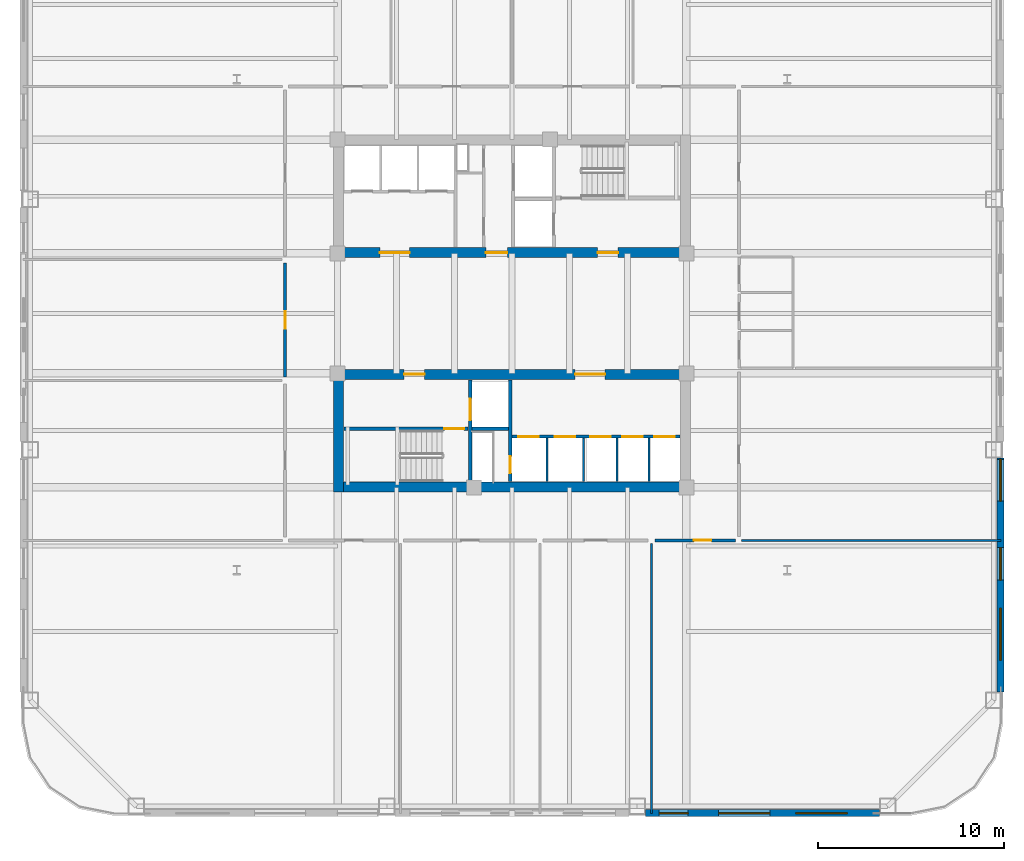
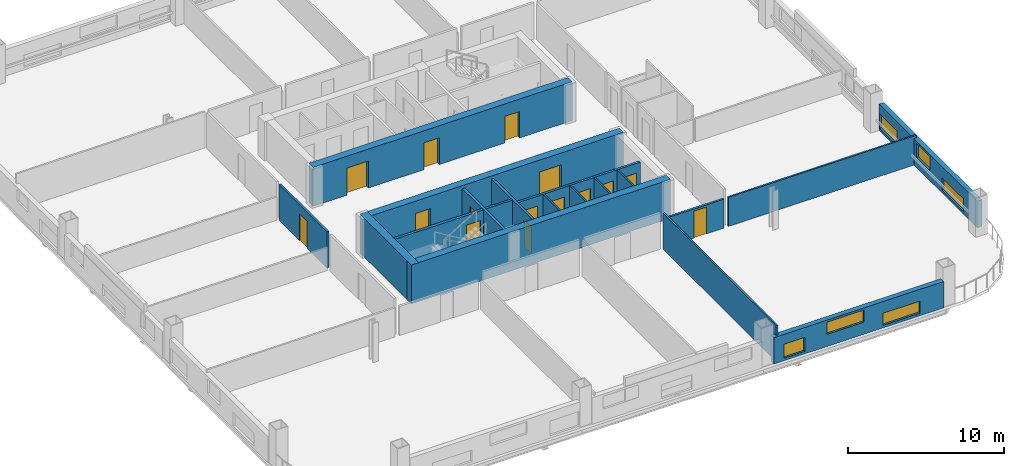
# One storey, part 3 of 12: 19 walls, 15 doors, 6 windows, 21 openings.
"""IFC4 building model written with IfcOpenShell, lengths in metres."""

from ifc_helpers import new_model, si_unit, direction, frame, frame_2d, origin, place, context, subcontext, project, spatial, rectangle, extrude, material, layer, layer_set, type_object, element, fill, save


model = new_model("IFC4")

# Units and contexts
model_context = context("Model", 3, precision=1e-05, world=origin(), true_north=direction((0.0, 1.0)))
body_context = subcontext(model_context, "Body", "Model", "MODEL_VIEW")
ifc_project = project(units=[si_unit("LENGTHUNIT", "METRE"), si_unit("AREAUNIT", "SQUARE_METRE"), si_unit("VOLUMEUNIT", "CUBIC_METRE"), si_unit("PLANEANGLEUNIT", "RADIAN"), si_unit("MASSUNIT", "GRAM", prefix="KILO")], contexts=[model_context])

# Site, building, storey
site_placement = place(None, origin())
site = spatial("IfcSite", under=ifc_project, at=site_placement, CompositionType="ELEMENT")
building_placement = place(site_placement, origin())
building = spatial("IfcBuilding", under=site, at=building_placement, Name="Qhalaya Broadcast Tower", CompositionType="ELEMENT")
storey_placement = place(building_placement, frame((0.0, 0.0, 47.449951171875)))
storey = spatial("IfcBuildingStorey", under=building, at=storey_placement, Name="L13", CompositionType="ELEMENT", Elevation=47.449951171875)

# Wall, opening, door
ifc_material_1 = material(Name="Gypsum Acoustic Partition")
ifc_layer_1 = layer(ifc_material_1, 0.14990234375, Name="Gypsum Acoustic Partition")
ifc_layer_set_1 = layer_set([ifc_layer_1], Name="Gypsum Acoustic Partition")
wall_type_1 = type_object("IfcWallType", Name="Corridor & Tenancy Acoustic Partition 150", PredefinedType="PARTITIONING", material=ifc_layer_set_1)
wall_1_placement = place(storey_placement, frame((7.679931640625, -11.60009765625, 0.0), z_axis=(0.0, 0.0, 1.0), x_axis=(1.0, 0.0, 0.0)))
wall_1 = element("IfcWall", 1, at=wall_1_placement, inside=storey, type_object=wall_type_1, Name="L13 Partition Wall W-COR-08", PredefinedType="PARTITIONING", context=body_context, shape_type="SweptSolid", body=[
    extrude(rectangle(XDim=4.340087890625, YDim=0.14990234375, at=frame_2d((2.169921875, 0.0))), origin(), (0.0, 0.0, 1.0), 2.274169921875),
])
opening_1_placement = place(wall_1_placement, frame((2.094970703125, 0.0, 0.0)))
opening_1 = element("IfcOpeningElement", 2, at=opening_1_placement, cuts=wall_1, Name="Opening D10", PredefinedType="OPENING", context=body_context, shape_type="SweptSolid", body=[
    extrude(rectangle(XDim=0.949951171875, YDim=2.10009765625, at=frame_2d((0.47509765625, 1.050048828125))), frame((0.0, 0.0869140625, 0.0), z_axis=(0.0, -1.0, 0.0), x_axis=(1.0, 0.0, 0.0)), (0.0, 0.0, 1.0), 0.173828125),
])
ifc_material_2 = material(Name="Timber Veneer Acoustic Door", Category="wood")
door_type_1 = type_object("IfcDoorType", Name="Cellular Office & Edit Booth Door D10", OperationType="NOTDEFINED", PredefinedType="DOOR", material=ifc_material_2)
door_1_placement = place(opening_1_placement, origin())
door_1 = element("IfcDoor", 3, at=door_1_placement, inside=storey, type_object=door_type_1, Name="L13 Door D-RM08", OperationType="SINGLE_SWING_RIGHT", OverallHeight=2.10009765625, OverallWidth=0.949951171875, PredefinedType="DOOR", context=body_context, shape_type="SweptSolid", body=[
    extrude(rectangle(XDim=0.949951171875, YDim=2.10009765625, at=frame_2d((0.47509765625, 1.050048828125))), frame((0.0, 0.02490234375, 0.0), z_axis=(0.0, -1.0, 0.0), x_axis=(1.0, 0.0, 0.0)), (0.0, 0.0, 1.0), 0.050048828125),
])
fill(opening_1, door_1)

wall_2_placement = place(storey_placement, frame((-12.199951171875, -2.820068359375, 0.0), z_axis=(0.0, 0.0, 1.0), x_axis=(0.0, 1.0, 0.0)))
wall_2 = element("IfcWall", 4, at=wall_2_placement, inside=storey, type_object=wall_type_1, Name="L13 Partition Wall W-COR-10", PredefinedType="PARTITIONING", context=body_context, shape_type="SweptSolid", body=[
    extrude(rectangle(XDim=6.14013671875, YDim=0.14990234375, at=frame_2d((3.070068359375, 0.0))), origin(), (0.0, 0.0, 1.0), 2.830078125),
])
opening_2_placement = place(wall_2_placement, frame((2.594970703125, 0.0, 0.0)))
opening_2 = element("IfcOpeningElement", 5, at=opening_2_placement, cuts=wall_2, Name="Opening D10", PredefinedType="OPENING", context=body_context, shape_type="SweptSolid", body=[
    extrude(rectangle(XDim=0.949951171875, YDim=2.10009765625, at=frame_2d((0.47509765625, 1.050048828125))), frame((0.0, 0.0869140625, 0.0), z_axis=(0.0, -1.0, 0.0), x_axis=(1.0, 0.0, 0.0)), (0.0, 0.0, 1.0), 0.173828125),
])
door_2_placement = place(opening_2_placement, origin())
door_2 = element("IfcDoor", 6, at=door_2_placement, inside=storey, type_object=door_type_1, Name="L13 Door D-RM10", OperationType="SINGLE_SWING_RIGHT", OverallHeight=2.10009765625, OverallWidth=0.949951171875, PredefinedType="DOOR", context=body_context, shape_type="SweptSolid", body=[
    extrude(rectangle(XDim=0.949951171875, YDim=2.10009765625, at=frame_2d((0.47509765625, 1.050048828125))), frame((0.0, 0.02490234375, 0.0), z_axis=(0.0, -1.0, 0.0), x_axis=(1.0, 0.0, 0.0)), (0.0, 0.0, 1.0), 0.050048828125),
])
fill(opening_2, door_2)

# Wall, openings, windows
ifc_material_3 = material(Name="Precast Concrete C40/50", Category="concrete")
ifc_layer_2 = layer(ifc_material_3, 0.360107421875, Name="Precast Concrete C40/50")
ifc_layer_set_2 = layer_set([ifc_layer_2], Name="Precast Concrete C40/50")
wall_type_2 = type_object("IfcWallType", Name="Insulated Precast Terracotta Exterior Wall 360", PredefinedType="SOLIDWALL", material=ifc_layer_set_2)
wall_3_placement = place(storey_placement, frame((19.761962890625, -26.260009765625, 0.0), z_axis=(0.0, 0.0, 1.0), x_axis=(-1.0, 0.0, 0.0)))
wall_3 = element("IfcWall", 7, at=wall_3_placement, inside=storey, type_object=wall_type_2, Name="L13 Exoskeleton Diagrid Infill Wall S1", PredefinedType="SOLIDWALL", context=body_context, shape_type="SweptSolid", body=[
    extrude(rectangle(XDim=12.57861328125, YDim=0.360107421875, at=frame_2d((6.289306640625, 0.0))), origin(), (0.0, 0.0, 1.0), 2.067138671875),
])
opening_3_placement = place(wall_3_placement, frame((1.75, 0.0, 0.199951171875)))
opening_3 = element("IfcOpeningElement", 8, at=opening_3_placement, cuts=wall_3, Name="Opening W11", PredefinedType="OPENING", context=body_context, shape_type="SweptSolid", body=[
    extrude(rectangle(XDim=2.75, YDim=0.949951171875, at=frame_2d((1.375, 0.47509765625))), frame((0.0, 0.192138671875, 0.0), z_axis=(0.0, -1.0, 0.0), x_axis=(1.0, 0.0, 0.0)), (0.0, 0.0, 1.0), 0.384033203125),
])
opening_4_placement = place(wall_3_placement, frame((5.89990234375, 0.0, 0.949951171875)))
opening_4 = element("IfcOpeningElement", 9, at=opening_4_placement, cuts=wall_3, Name="Opening W11", PredefinedType="OPENING", context=body_context, shape_type="SweptSolid", body=[
    extrude(rectangle(XDim=2.75, YDim=0.949951171875, at=frame_2d((1.375, 0.47509765625))), frame((0.0, 0.192138671875, 0.0), z_axis=(0.0, -1.0, 0.0), x_axis=(1.0, 0.0, 0.0)), (0.0, 0.0, 1.0), 0.384033203125),
])
opening_5_placement = place(wall_3_placement, frame((10.300048828125, 0.0, 0.199951171875)))
opening_5 = element("IfcOpeningElement", 10, at=opening_5_placement, cuts=wall_3, Name="Opening W11", PredefinedType="OPENING", context=body_context, shape_type="SweptSolid", body=[
    extrude(rectangle(XDim=1.550048828125, YDim=1.10009765625, at=frame_2d((0.77490234375, 0.550048828125))), frame((0.0, 0.192138671875, 0.0), z_axis=(0.0, -1.0, 0.0), x_axis=(1.0, 0.0, 0.0)), (0.0, 0.0, 1.0), 0.384033203125),
])
ifc_material_4 = material(Name="Solar-Control Low-E Triple Glazing", Category="glass")
window_type = type_object("IfcWindowType", Name="Odd-Block Diagrid Infill Window W11", PartitioningType="SINGLE_PANEL", PredefinedType="WINDOW", material=ifc_material_4)
window_1_placement = place(opening_3_placement, origin())
window_1 = element("IfcWindow", 11, at=window_1_placement, inside=storey, type_object=window_type, Name="L13 Diagrid Infill Window W11-S1", OverallHeight=0.949951171875, OverallWidth=2.75, PartitioningType="SINGLE_PANEL", PredefinedType="WINDOW", context=body_context, shape_type="SweptSolid", body=[
    extrude(rectangle(XDim=2.75, YDim=0.949951171875, at=frame_2d((1.375, 0.47509765625))), frame((0.0, 0.030029296875, 0.0), z_axis=(0.0, -1.0, 0.0), x_axis=(1.0, 0.0, 0.0)), (0.0, 0.0, 1.0), 0.06005859375),
])
fill(opening_3, window_1)
window_2_placement = place(opening_4_placement, origin())
window_2 = element("IfcWindow", 12, at=window_2_placement, inside=storey, type_object=window_type, Name="L13 Diagrid Infill Window W11-S2", OverallHeight=0.949951171875, OverallWidth=2.75, PartitioningType="SINGLE_PANEL", PredefinedType="WINDOW", context=body_context, shape_type="SweptSolid", body=[
    extrude(rectangle(XDim=2.75, YDim=0.949951171875, at=frame_2d((1.375, 0.47509765625))), frame((0.0, 0.030029296875, 0.0), z_axis=(0.0, -1.0, 0.0), x_axis=(1.0, 0.0, 0.0)), (0.0, 0.0, 1.0), 0.06005859375),
])
fill(opening_4, window_2)
window_3_placement = place(opening_5_placement, origin())
window_3 = element("IfcWindow", 13, at=window_3_placement, inside=storey, type_object=window_type, Name="L13 Diagrid Infill Window W11-S3", OverallHeight=1.10009765625, OverallWidth=1.550048828125, PartitioningType="SINGLE_PANEL", PredefinedType="WINDOW", context=body_context, shape_type="SweptSolid", body=[
    extrude(rectangle(XDim=1.550048828125, YDim=1.10009765625, at=frame_2d((0.77490234375, 0.550048828125))), frame((0.0, 0.030029296875, 0.0), z_axis=(0.0, -1.0, 0.0), x_axis=(1.0, 0.0, 0.0)), (0.0, 0.0, 1.0), 0.06005859375),
])
fill(opening_5, window_3)

wall_4_placement = place(storey_placement, frame((26.260009765625, -7.183349609375, 0.0), z_axis=(0.0, 0.0, 1.0), x_axis=(0.0, -1.0, 0.0)))
wall_4 = element("IfcWall", 14, at=wall_4_placement, inside=storey, type_object=wall_type_2, Name="L13 Exoskeleton Diagrid Infill Wall E3", PredefinedType="SOLIDWALL", context=body_context, shape_type="SweptSolid", body=[
    extrude(rectangle(XDim=12.57861328125, YDim=0.360107421875, at=frame_2d((6.289306640625, 0.0))), origin(), (0.0, 0.0, 1.0), 2.067138671875),
])
opening_6_placement = place(wall_4_placement, frame((0.054931640625, 0.0, 0.199951171875)))
opening_6 = element("IfcOpeningElement", 15, at=opening_6_placement, cuts=wall_4, Name="Opening W11", PredefinedType="OPENING", context=body_context, shape_type="SweptSolid", body=[
    extrude(rectangle(XDim=2.25, YDim=1.14990234375, at=frame_2d((1.125, 0.574951171875))), frame((0.0, 0.192138671875, 0.0), z_axis=(0.0, -1.0, 0.0), x_axis=(1.0, 0.0, 0.0)), (0.0, 0.0, 1.0), 0.384033203125),
])
opening_7_placement = place(wall_4_placement, frame((4.804931640625, 0.0, 0.800048828125)))
opening_7 = element("IfcOpeningElement", 16, at=opening_7_placement, cuts=wall_4, Name="Opening W11", PredefinedType="OPENING", context=body_context, shape_type="SweptSolid", body=[
    extrude(rectangle(XDim=1.75, YDim=1.10009765625, at=frame_2d((0.875, 0.550048828125))), frame((0.0, 0.192138671875, 0.0), z_axis=(0.0, -1.0, 0.0), x_axis=(1.0, 0.0, 0.0)), (0.0, 0.0, 1.0), 0.384033203125),
])
opening_8_placement = place(wall_4_placement, frame((8.054931640625, 0.0, 0.199951171875)))
opening_8 = element("IfcOpeningElement", 17, at=opening_8_placement, cuts=wall_4, Name="Opening W11", PredefinedType="OPENING", context=body_context, shape_type="SweptSolid", body=[
    extrude(rectangle(XDim=2.800048828125, YDim=1.0, at=frame_2d((1.39990234375, 0.5))), frame((0.0, 0.192138671875, 0.0), z_axis=(0.0, -1.0, 0.0), x_axis=(1.0, 0.0, 0.0)), (0.0, 0.0, 1.0), 0.384033203125),
])
window_4_placement = place(opening_6_placement, origin())
window_4 = element("IfcWindow", 18, at=window_4_placement, inside=storey, type_object=window_type, Name="L13 Diagrid Infill Window W11-E7", OverallHeight=1.14990234375, OverallWidth=2.25, PartitioningType="SINGLE_PANEL", PredefinedType="WINDOW", context=body_context, shape_type="SweptSolid", body=[
    extrude(rectangle(XDim=2.25, YDim=1.14990234375, at=frame_2d((1.125, 0.574951171875))), frame((0.0, 0.030029296875, 0.0), z_axis=(0.0, -1.0, 0.0), x_axis=(1.0, 0.0, 0.0)), (0.0, 0.0, 1.0), 0.06005859375),
])
fill(opening_6, window_4)
window_5_placement = place(opening_7_placement, origin())
window_5 = element("IfcWindow", 19, at=window_5_placement, inside=storey, type_object=window_type, Name="L13 Diagrid Infill Window W11-E8", OverallHeight=1.10009765625, OverallWidth=1.75, PartitioningType="SINGLE_PANEL", PredefinedType="WINDOW", context=body_context, shape_type="SweptSolid", body=[
    extrude(rectangle(XDim=1.75, YDim=1.10009765625, at=frame_2d((0.875, 0.550048828125))), frame((0.0, 0.030029296875, 0.0), z_axis=(0.0, -1.0, 0.0), x_axis=(1.0, 0.0, 0.0)), (0.0, 0.0, 1.0), 0.06005859375),
])
fill(opening_7, window_5)
window_6_placement = place(opening_8_placement, origin())
window_6 = element("IfcWindow", 20, at=window_6_placement, inside=storey, type_object=window_type, Name="L13 Diagrid Infill Window W11-E9", OverallHeight=1.0, OverallWidth=2.800048828125, PartitioningType="SINGLE_PANEL", PredefinedType="WINDOW", context=body_context, shape_type="SweptSolid", body=[
    extrude(rectangle(XDim=2.800048828125, YDim=1.0, at=frame_2d((1.39990234375, 0.5))), frame((0.0, 0.030029296875, 0.0), z_axis=(0.0, -1.0, 0.0), x_axis=(1.0, 0.0, 0.0)), (0.0, 0.0, 1.0), 0.06005859375),
])
fill(opening_8, window_6)

# Wall, opening, door
ifc_material_5 = material(Name="Concrete C50/60", Category="concrete")
ifc_layer_3 = layer(ifc_material_5, 0.199951171875, Name="Concrete C50/60")
ifc_layer_set_3 = layer_set([ifc_layer_3], Name="Concrete C50/60")
wall_type_3 = type_object("IfcWallType", Name="Load-Bearing Stair Shaft Wall 200", PredefinedType="SHEAR", material=ifc_layer_set_3)
wall_5_placement = place(storey_placement, frame((-9.030029296875, -5.60498046875, 0.0), z_axis=(0.0, 0.0, 1.0), x_axis=(1.0, 0.0, 0.0)))
wall_5 = element("IfcWall", 21, at=wall_5_placement, inside=storey, type_object=wall_type_3, Name="L13 Stair Core Shear Wall SCW-ST2", PredefinedType="SHEAR", context=body_context, shape_type="SweptSolid", body=[
    extrude(rectangle(XDim=6.669921875, YDim=0.199951171875, at=frame_2d((3.3349609375, 0.0))), origin(), (0.0, 0.0, 1.0), 2.830078125),
])
opening_9_placement = place(wall_5_placement, frame((5.39990234375, 0.0, 0.0)))
opening_9 = element("IfcOpeningElement", 22, at=opening_9_placement, cuts=wall_5, Name="Opening D03", PredefinedType="OPENING", context=body_context, shape_type="SweptSolid", body=[
    extrude(rectangle(XDim=1.050048828125, YDim=2.080078125, at=frame_2d((0.52490234375, 1.0400390625))), frame((0.0, 0.112060546875, 0.0), z_axis=(0.0, -1.0, 0.0), x_axis=(1.0, 0.0, 0.0)), (0.0, 0.0, 1.0), 0.223876953125),
])
ifc_material_6 = material(Name="Fire-Rated Steel Door", Category="steel")
door_type_2 = type_object("IfcDoorType", Name="Core Stair Protected Fire Door D03", OperationType="NOTDEFINED", PredefinedType="DOOR", material=ifc_material_6)
door_3_placement = place(opening_9_placement, origin())
door_3 = element("IfcDoor", 23, at=door_3_placement, inside=storey, type_object=door_type_2, Name="L13 Door D-SST2", OperationType="SINGLE_SWING_RIGHT", OverallHeight=2.080078125, OverallWidth=1.050048828125, PredefinedType="DOOR", context=body_context, shape_type="SweptSolid", body=[
    extrude(rectangle(XDim=1.050048828125, YDim=2.080078125, at=frame_2d((0.52490234375, 1.0400390625))), frame((0.0, 0.02490234375, 0.0), z_axis=(0.0, -1.0, 0.0), x_axis=(1.0, 0.0, 0.0)), (0.0, 0.0, 1.0), 0.050048828125),
])
fill(opening_9, door_3)

wall_6_placement = place(storey_placement, frame((-2.25, -8.429931640625, 0.0), z_axis=(0.0, 0.0, 1.0), x_axis=(0.0, 1.0, 0.0)))
wall_6 = element("IfcWall", 24, at=wall_6_placement, inside=storey, type_object=wall_type_3, Name="L13 Stair Core Shear Wall SCW-FF", PredefinedType="SHEAR", context=body_context, shape_type="SweptSolid", body=[
    extrude(rectangle(XDim=5.4599609375, YDim=0.199951171875, at=frame_2d((2.72998046875, 0.0))), origin(), (0.0, 0.0, 1.0), 2.830078125),
])
opening_10_placement = place(wall_6_placement, frame((3.300048828125, 0.0, 0.0)))
opening_10 = element("IfcOpeningElement", 25, at=opening_10_placement, cuts=wall_6, Name="Opening LD2", PredefinedType="OPENING", context=body_context, shape_type="SweptSolid", body=[
    extrude(rectangle(XDim=1.14990234375, YDim=2.080078125, at=frame_2d((0.574951171875, 1.0400390625))), frame((0.0, 0.112060546875, 0.0), z_axis=(0.0, -1.0, 0.0), x_axis=(1.0, 0.0, 0.0)), (0.0, 0.0, 1.0), 0.223876953125),
])
ifc_material_7 = material(Name="Brushed Stainless Steel Lift Door", Category="steel")
door_type_3 = type_object("IfcDoorType", Name="Firefighting Lift Sliding Landing Door LD2", OperationType="DOUBLE_DOOR_SLIDING", PredefinedType="DOOR", material=ifc_material_7)
door_4_placement = place(opening_10_placement, origin())
door_4 = element("IfcDoor", 26, at=door_4_placement, inside=storey, type_object=door_type_3, Name="L13 Door LD-FF2", OperationType="DOUBLE_DOOR_SLIDING", OverallHeight=2.080078125, OverallWidth=1.14990234375, PredefinedType="DOOR", context=body_context, shape_type="SweptSolid", body=[
    extrude(rectangle(XDim=1.14990234375, YDim=2.080078125, at=frame_2d((0.574951171875, 1.0400390625))), frame((0.0, 0.02490234375, 0.0), z_axis=(0.0, -1.0, 0.0), x_axis=(1.0, 0.0, 0.0)), (0.0, 0.0, 1.0), 0.050048828125),
])
fill(opening_10, door_4)

# Wall, openings, doors
ifc_material_8 = material(Name="Concrete C60/75", Category="concrete")
ifc_layer_4 = layer(ifc_material_8, 0.550048828125, Name="Concrete C60/75")
ifc_layer_set_4 = layer_set([ifc_layer_4], Name="Concrete C60/75")
wall_type_4 = type_object("IfcWallType", Name="Lower Split-Core Shear Wall 550", PredefinedType="SHEAR", material=ifc_layer_set_4)
wall_7_placement = place(storey_placement, frame((-9.60009765625, 3.875, 0.0), z_axis=(0.0, 0.0, 1.0), x_axis=(1.0, 0.0, 0.0)))
wall_7 = element("IfcWall", 27, at=wall_7_placement, inside=storey, type_object=wall_type_4, Name="L13 Split-Core Shear Wall CW-NS", PredefinedType="SHEAR", context=body_context, shape_type="SweptSolid", body=[
    extrude(rectangle(XDim=19.2001953125, YDim=0.550048828125, at=frame_2d((9.60009765625, 0.0))), origin(), (0.0, 0.0, 1.0), 3.050048828125),
])
opening_11_placement = place(wall_7_placement, frame((14.199951171875, 0.0, 0.0)))
opening_11 = element("IfcOpeningElement", 28, at=opening_11_placement, cuts=wall_7, Name="Opening D04", PredefinedType="OPENING", context=body_context, shape_type="SweptSolid", body=[
    extrude(rectangle(XDim=1.10009765625, YDim=2.080078125, at=frame_2d((0.550048828125, 1.0400390625))), frame((0.0, 0.287109375, 0.0), z_axis=(0.0, -1.0, 0.0), x_axis=(1.0, 0.0, 0.0)), (0.0, 0.0, 1.0), 0.573974609375),
])
opening_12_placement = place(wall_7_placement, frame((8.199951171875, 0.0, 0.0)))
opening_12 = element("IfcOpeningElement", 29, at=opening_12_placement, cuts=wall_7, Name="Opening D05", PredefinedType="OPENING", context=body_context, shape_type="SweptSolid", body=[
    extrude(rectangle(XDim=1.14990234375, YDim=2.10009765625, at=frame_2d((0.574951171875, 1.050048828125))), frame((0.0, 0.287109375, 0.0), z_axis=(0.0, -1.0, 0.0), x_axis=(1.0, 0.0, 0.0)), (0.0, 0.0, 1.0), 0.573974609375),
])
opening_13_placement = place(wall_7_placement, frame((2.5, 0.0, 0.0)))
opening_13 = element("IfcOpeningElement", 30, at=opening_13_placement, cuts=wall_7, Name="Opening D07", PredefinedType="OPENING", context=body_context, shape_type="SweptSolid", body=[
    extrude(rectangle(XDim=1.60009765625, YDim=2.1201171875, at=frame_2d((0.800048828125, 1.06005859375))), frame((0.0, 0.287109375, 0.0), z_axis=(0.0, -1.0, 0.0), x_axis=(1.0, 0.0, 0.0)), (0.0, 0.0, 1.0), 0.573974609375),
])
door_type_4 = type_object("IfcDoorType", Name="Firefighting Lobby Rated Door D04", OperationType="NOTDEFINED", PredefinedType="DOOR", material=ifc_material_6)
door_5_placement = place(opening_11_placement, origin())
door_5 = element("IfcDoor", 31, at=door_5_placement, inside=storey, type_object=door_type_4, Name="L13 Door D-NFF", OperationType="SINGLE_SWING_RIGHT", OverallHeight=2.080078125, OverallWidth=1.10009765625, PredefinedType="DOOR", context=body_context, shape_type="SweptSolid", body=[
    extrude(rectangle(XDim=1.10009765625, YDim=2.080078125, at=frame_2d((0.550048828125, 1.0400390625))), frame((0.0, 0.02490234375, 0.0), z_axis=(0.0, -1.0, 0.0), x_axis=(1.0, 0.0, 0.0)), (0.0, 0.0, 1.0), 0.050048828125),
])
fill(opening_11, door_5)
ifc_material_9 = material(Name="Anodised Aluminium Glazed Door", Category="aluminium")
door_type_5 = type_object("IfcDoorType", Name="Passenger Lift Lobby Double Glazed Door D07", OperationType="DOUBLE_DOOR_SINGLE_SWING", PredefinedType="DOOR", material=ifc_material_9)
door_6_placement = place(opening_13_placement, origin())
door_6 = element("IfcDoor", 32, at=door_6_placement, inside=storey, type_object=door_type_5, Name="L13 Door D-NPLL", OperationType="DOUBLE_DOOR_SINGLE_SWING", OverallHeight=2.1201171875, OverallWidth=1.60009765625, PredefinedType="DOOR", context=body_context, shape_type="SweptSolid", body=[
    extrude(rectangle(XDim=1.60009765625, YDim=2.1201171875, at=frame_2d((0.800048828125, 1.06005859375))), frame((0.0, 0.02490234375, 0.0), z_axis=(0.0, -1.0, 0.0), x_axis=(1.0, 0.0, 0.0)), (0.0, 0.0, 1.0), 0.050048828125),
])
fill(opening_13, door_6)
door_type_6 = type_object("IfcDoorType", Name="Refuge & Plant Room Fire Door D05", OperationType="NOTDEFINED", PredefinedType="DOOR", material=ifc_material_6)
door_7_placement = place(opening_12_placement, origin())
door_7 = element("IfcDoor", 33, at=door_7_placement, inside=storey, type_object=door_type_6, Name="L13 Door D-NSVL", OperationType="SINGLE_SWING_LEFT", OverallHeight=2.10009765625, OverallWidth=1.14990234375, PredefinedType="DOOR", context=body_context, shape_type="SweptSolid", body=[
    extrude(rectangle(XDim=1.14990234375, YDim=2.10009765625, at=frame_2d((0.574951171875, 1.050048828125))), frame((0.0, 0.02490234375, 0.0), z_axis=(0.0, -1.0, 0.0), x_axis=(1.0, 0.0, 0.0)), (0.0, 0.0, 1.0), 0.050048828125),
])
fill(opening_12, door_7)

# Wall
wall_8_placement = place(storey_placement, frame((-9.60009765625, -8.72509765625, 0.0), z_axis=(0.0, 0.0, 1.0), x_axis=(1.0, 0.0, 0.0)))
element("IfcWall", 34, at=wall_8_placement, inside=storey, type_object=wall_type_4, Name="L13 Split-Core Shear Wall CW-SS", PredefinedType="SHEAR", context=body_context, shape_type="SweptSolid", body=[
    extrude(rectangle(XDim=19.2001953125, YDim=0.550048828125, at=frame_2d((9.60009765625, 0.0))), origin(), (0.0, 0.0, 1.0), 3.050048828125),
])

# Wall, openings, doors
wall_9_placement = place(storey_placement, frame((-9.60009765625, -2.675048828125, 0.0), z_axis=(0.0, 0.0, 1.0), x_axis=(1.0, 0.0, 0.0)))
wall_9 = element("IfcWall", 35, at=wall_9_placement, inside=storey, type_object=wall_type_4, Name="L13 Split-Core Shear Wall CW-SN", PredefinedType="SHEAR", context=body_context, shape_type="SweptSolid", body=[
    extrude(rectangle(XDim=19.2001953125, YDim=0.550048828125, at=frame_2d((9.60009765625, 0.0))), origin(), (0.0, 0.0, 1.0), 3.050048828125),
])
opening_14_placement = place(wall_9_placement, frame((3.800048828125, 0.0, 0.0)))
opening_14 = element("IfcOpeningElement", 36, at=opening_14_placement, cuts=wall_9, Name="Opening D04", PredefinedType="OPENING", context=body_context, shape_type="SweptSolid", body=[
    extrude(rectangle(XDim=1.10009765625, YDim=2.080078125, at=frame_2d((0.550048828125, 1.0400390625))), frame((0.0, 0.287109375, 0.0), z_axis=(0.0, -1.0, 0.0), x_axis=(1.0, 0.0, 0.0)), (0.0, 0.0, 1.0), 0.573974609375),
])
opening_15_placement = place(wall_9_placement, frame((13.0, 0.0, 0.0)))
opening_15 = element("IfcOpeningElement", 37, at=opening_15_placement, cuts=wall_9, Name="Opening D07", PredefinedType="OPENING", context=body_context, shape_type="SweptSolid", body=[
    extrude(rectangle(XDim=1.60009765625, YDim=2.1201171875, at=frame_2d((0.800048828125, 1.06005859375))), frame((0.0, 0.287109375, 0.0), z_axis=(0.0, -1.0, 0.0), x_axis=(1.0, 0.0, 0.0)), (0.0, 0.0, 1.0), 0.573974609375),
])
door_8_placement = place(opening_14_placement, origin())
door_8 = element("IfcDoor", 38, at=door_8_placement, inside=storey, type_object=door_type_4, Name="L13 Door D-SFF", OperationType="SINGLE_SWING_LEFT", OverallHeight=2.080078125, OverallWidth=1.10009765625, PredefinedType="DOOR", context=body_context, shape_type="SweptSolid", body=[
    extrude(rectangle(XDim=1.10009765625, YDim=2.080078125, at=frame_2d((0.550048828125, 1.0400390625))), frame((0.0, 0.02490234375, 0.0), z_axis=(0.0, -1.0, 0.0), x_axis=(1.0, 0.0, 0.0)), (0.0, 0.0, 1.0), 0.050048828125),
])
fill(opening_14, door_8)
door_9_placement = place(opening_15_placement, origin())
door_9 = element("IfcDoor", 39, at=door_9_placement, inside=storey, type_object=door_type_5, Name="L13 Door D-SPLL", OperationType="DOUBLE_DOOR_SINGLE_SWING", OverallHeight=2.1201171875, OverallWidth=1.60009765625, PredefinedType="DOOR", context=body_context, shape_type="SweptSolid", body=[
    extrude(rectangle(XDim=1.60009765625, YDim=2.1201171875, at=frame_2d((0.800048828125, 1.06005859375))), frame((0.0, 0.02490234375, 0.0), z_axis=(0.0, -1.0, 0.0), x_axis=(1.0, 0.0, 0.0)), (0.0, 0.0, 1.0), 0.050048828125),
])
fill(opening_15, door_9)

# Walls
wall_10_placement = place(storey_placement, frame((-9.324951171875, -9.0, 0.0), z_axis=(0.0, 0.0, 1.0), x_axis=(0.0, 1.0, 0.0)))
element("IfcWall", 40, at=wall_10_placement, inside=storey, type_object=wall_type_4, Name="L13 Split-Core Shear Wall CW-SW", PredefinedType="SHEAR", context=body_context, shape_type="SweptSolid", body=[
    extrude(rectangle(XDim=6.60009765625, YDim=0.550048828125, at=frame_2d((3.300048828125, 0.0))), origin(), (0.0, 0.0, 1.0), 3.050048828125),
])
ifc_layer_5 = layer(ifc_material_1, 0.1201171875, Name="Gypsum Acoustic Partition")
ifc_layer_set_5 = layer_set([ifc_layer_5], Name="Gypsum Acoustic Partition")
wall_type_5 = type_object("IfcWallType", Name="Office, Booth & Sanitary Partition 120", PredefinedType="PARTITIONING", material=ifc_layer_set_5)
for number, where, z_axis, x_axis, name in (
    (41, (1.8798828125, -8.429931640625, 0.0), (0.0, 0.0, 1.0), (0.0, 1.0, 0.0), "L13 Partition Wall SCW-MD4"),
    (42, (3.85009765625, -8.429931640625, 0.0), (0.0, 0.0, 1.0), (0.0, 1.0, 0.0), "L13 Partition Wall SCW-MD5"),
    (43, (5.639892578125, -8.429931640625, 0.0), (0.0, 0.0, 1.0), (0.0, 1.0, 0.0), "L13 Partition Wall SCW-HD6"),
    (44, (7.360107421875, -8.429931640625, 0.0), (0.0, 0.0, 1.0), (0.0, 1.0, 0.0), "L13 Partition Wall SCW-HD7"),
):
    element("IfcWall", number, at=place(storey_placement, frame(where, z_axis=z_axis, x_axis=x_axis)), inside=storey, type_object=wall_type_5, Name=name, PredefinedType="PARTITIONING", context=body_context, shape_type="SweptSolid", body=[
        extrude(rectangle(XDim=2.329833984375, YDim=0.1201171875, at=frame_2d((1.1650390625, 0.0))), origin(), (0.0, 0.0, 1.0), 2.830078125),
    ])
wall_11_placement = place(storey_placement, frame((12.340087890625, -11.60009765625, 0.0), z_axis=(0.0, 0.0, 1.0), x_axis=(1.0, 0.0, 0.0)))
element("IfcWall", 45, at=wall_11_placement, inside=storey, type_object=wall_type_5, Name="L13 Partition Wall W-BNDE2", PredefinedType="PARTITIONING", context=body_context, shape_type="SweptSolid", body=[
    extrude(rectangle(XDim=13.93994140625, YDim=0.1201171875, at=frame_2d((6.969970703125, 0.0))), origin(), (0.0, 0.0, 1.0), 2.274169921875),
])
wall_12_placement = place(storey_placement, frame((7.5, -26.280029296875, 0.0), z_axis=(0.0, 0.0, 1.0), x_axis=(0.0, 1.0, 0.0)))
element("IfcWall", 46, at=wall_12_placement, inside=storey, type_object=wall_type_5, Name="L13 Partition Wall W-DIVS3", PredefinedType="PARTITIONING", context=body_context, shape_type="SweptSolid", body=[
    extrude(rectangle(XDim=14.52001953125, YDim=0.1201171875, at=frame_2d((7.260009765625, 0.0))), origin(), (0.0, 0.0, 1.0), 2.830078125),
])

# Wall, opening, door
ifc_layer_6 = layer(ifc_material_1, 0.175048828125, Name="Gypsum Acoustic Partition")
ifc_layer_set_6 = layer_set([ifc_layer_6], Name="Gypsum Acoustic Partition")
wall_type_6 = type_object("IfcWallType", Name="Shaft & Riser Fire Partition 175", PredefinedType="PARTITIONING", material=ifc_layer_set_6)
wall_13_placement = place(storey_placement, frame((-0.10009765625, -8.429931640625, 0.0), z_axis=(0.0, 0.0, 1.0), x_axis=(0.0, 1.0, 0.0)))
wall_13 = element("IfcWall", 47, at=wall_13_placement, inside=storey, type_object=wall_type_6, Name="L13 Partition Wall SCW-FFE", PredefinedType="PARTITIONING", context=body_context, shape_type="SweptSolid", body=[
    extrude(rectangle(XDim=5.4599609375, YDim=0.175048828125, at=frame_2d((2.72998046875, 0.0))), origin(), (0.0, 0.0, 1.0), 2.830078125),
])
opening_16_placement = place(wall_13_placement, frame((0.449951171875, 0.0, 0.0)))
opening_16 = element("IfcOpeningElement", 48, at=opening_16_placement, cuts=wall_13, Name="Opening D06", PredefinedType="OPENING", context=body_context, shape_type="SweptSolid", body=[
    extrude(rectangle(XDim=0.89990234375, YDim=2.050048828125, at=frame_2d((0.449951171875, 1.02490234375))), frame((0.0, 0.099609375, 0.0), z_axis=(0.0, -1.0, 0.0), x_axis=(1.0, 0.0, 0.0)), (0.0, 0.0, 1.0), 0.198974609375),
])
door_type_7 = type_object("IfcDoorType", Name="Riser & Electrical Shaft Access Door D06", OperationType="NOTDEFINED", PredefinedType="DOOR", material=ifc_material_6)
door_10_placement = place(opening_16_placement, origin())
door_10 = element("IfcDoor", 49, at=door_10_placement, inside=storey, type_object=door_type_7, Name="L13 Riser Shaft Access Door D-SRSR", OperationType="SINGLE_SWING_LEFT", OverallHeight=2.050048828125, OverallWidth=0.89990234375, PredefinedType="DOOR", context=body_context, shape_type="SweptSolid", body=[
    extrude(rectangle(XDim=0.89990234375, YDim=2.050048828125, at=frame_2d((0.449951171875, 1.02490234375))), frame((0.0, 0.02490234375, 0.0), z_axis=(0.0, -1.0, 0.0), x_axis=(1.0, 0.0, 0.0)), (0.0, 0.0, 1.0), 0.050048828125),
])
fill(opening_16, door_10)

# Wall
wall_14_placement = place(storey_placement, frame((-2.14990234375, -5.60009765625, 0.0), z_axis=(0.0, 0.0, 1.0), x_axis=(1.0, 0.0, 0.0)))
element("IfcWall", 50, at=wall_14_placement, inside=storey, type_object=wall_type_6, Name="L13 Partition Wall SCW-FFM", PredefinedType="PARTITIONING", context=body_context, shape_type="SweptSolid", body=[
    extrude(rectangle(XDim=1.969970703125, YDim=0.175048828125, at=frame_2d((0.98486328125, 0.0))), origin(), (0.0, 0.0, 1.0), 2.830078125),
])

# Wall, openings, doors
wall_15_placement = place(storey_placement, frame((0.0, -6.02001953125, 0.0), z_axis=(0.0, 0.0, 1.0), x_axis=(1.0, 0.0, 0.0)))
wall_15 = element("IfcWall", 51, at=wall_15_placement, inside=storey, type_object=wall_type_6, Name="L13 Partition Wall SCW-SLB", PredefinedType="PARTITIONING", context=body_context, shape_type="SweptSolid", body=[
    extrude(rectangle(XDim=9.030029296875, YDim=0.175048828125, at=frame_2d((4.51513671875, 0.0))), origin(), (0.0, 0.0, 1.0), 2.830078125),
])
opening_17_placement = place(wall_15_placement, frame((0.330078125, 0.0, 0.0)))
opening_17 = element("IfcOpeningElement", 52, at=opening_17_placement, cuts=wall_15, Name="Opening LD1", PredefinedType="OPENING", context=body_context, shape_type="SweptSolid", body=[
    extrude(rectangle(XDim=1.10009765625, YDim=2.06005859375, at=frame_2d((0.550048828125, 1.030029296875))), frame((0.0, 0.099609375, 0.0), z_axis=(0.0, -1.0, 0.0), x_axis=(1.0, 0.0, 0.0)), (0.0, 0.0, 1.0), 0.198974609375),
])
opening_18_placement = place(wall_15_placement, frame((2.300048828125, 0.0, 0.0)))
opening_18 = element("IfcOpeningElement", 53, at=opening_18_placement, cuts=wall_15, Name="Opening LD1", PredefinedType="OPENING", context=body_context, shape_type="SweptSolid", body=[
    extrude(rectangle(XDim=1.10009765625, YDim=2.06005859375, at=frame_2d((0.550048828125, 1.030029296875))), frame((0.0, 0.099609375, 0.0), z_axis=(0.0, -1.0, 0.0), x_axis=(1.0, 0.0, 0.0)), (0.0, 0.0, 1.0), 0.198974609375),
])
opening_19_placement = place(wall_15_placement, frame((4.219970703125, 0.0, 0.0)))
opening_19 = element("IfcOpeningElement", 54, at=opening_19_placement, cuts=wall_15, Name="Opening LD1", PredefinedType="OPENING", context=body_context, shape_type="SweptSolid", body=[
    extrude(rectangle(XDim=1.10009765625, YDim=2.06005859375, at=frame_2d((0.550048828125, 1.030029296875))), frame((0.0, 0.099609375, 0.0), z_axis=(0.0, -1.0, 0.0), x_axis=(1.0, 0.0, 0.0)), (0.0, 0.0, 1.0), 0.198974609375),
])
opening_20_placement = place(wall_15_placement, frame((5.93994140625, 0.0, 0.0)))
opening_20 = element("IfcOpeningElement", 55, at=opening_20_placement, cuts=wall_15, Name="Opening LD1", PredefinedType="OPENING", context=body_context, shape_type="SweptSolid", body=[
    extrude(rectangle(XDim=1.10009765625, YDim=2.06005859375, at=frame_2d((0.550048828125, 1.030029296875))), frame((0.0, 0.099609375, 0.0), z_axis=(0.0, -1.0, 0.0), x_axis=(1.0, 0.0, 0.0)), (0.0, 0.0, 1.0), 0.198974609375),
])
opening_21_placement = place(wall_15_placement, frame((7.659912109375, 0.0, 0.0)))
opening_21 = element("IfcOpeningElement", 56, at=opening_21_placement, cuts=wall_15, Name="Opening LD1", PredefinedType="OPENING", context=body_context, shape_type="SweptSolid", body=[
    extrude(rectangle(XDim=1.10009765625, YDim=2.06005859375, at=frame_2d((0.550048828125, 1.030029296875))), frame((0.0, 0.099609375, 0.0), z_axis=(0.0, -1.0, 0.0), x_axis=(1.0, 0.0, 0.0)), (0.0, 0.0, 1.0), 0.198974609375),
])
door_type_8 = type_object("IfcDoorType", Name="Passenger Lift Sliding Landing Door LD1", OperationType="DOUBLE_DOOR_SLIDING", PredefinedType="DOOR", material=ifc_material_7)
door_11_placement = place(opening_17_placement, origin())
door_11 = element("IfcDoor", 57, at=door_11_placement, inside=storey, type_object=door_type_8, Name="L13 Door LD-P4", OperationType="DOUBLE_DOOR_SLIDING", OverallHeight=2.06005859375, OverallWidth=1.10009765625, PredefinedType="DOOR", context=body_context, shape_type="SweptSolid", body=[
    extrude(rectangle(XDim=1.10009765625, YDim=2.06005859375, at=frame_2d((0.550048828125, 1.030029296875))), frame((0.0, 0.02490234375, 0.0), z_axis=(0.0, -1.0, 0.0), x_axis=(1.0, 0.0, 0.0)), (0.0, 0.0, 1.0), 0.050048828125),
])
fill(opening_17, door_11)
door_12_placement = place(opening_18_placement, origin())
door_12 = element("IfcDoor", 58, at=door_12_placement, inside=storey, type_object=door_type_8, Name="L13 Door LD-P5", OperationType="DOUBLE_DOOR_SLIDING", OverallHeight=2.06005859375, OverallWidth=1.10009765625, PredefinedType="DOOR", context=body_context, shape_type="SweptSolid", body=[
    extrude(rectangle(XDim=1.10009765625, YDim=2.06005859375, at=frame_2d((0.550048828125, 1.030029296875))), frame((0.0, 0.02490234375, 0.0), z_axis=(0.0, -1.0, 0.0), x_axis=(1.0, 0.0, 0.0)), (0.0, 0.0, 1.0), 0.050048828125),
])
fill(opening_18, door_12)
door_13_placement = place(opening_19_placement, origin())
door_13 = element("IfcDoor", 59, at=door_13_placement, inside=storey, type_object=door_type_8, Name="L13 Door LD-P6", OperationType="DOUBLE_DOOR_SLIDING", OverallHeight=2.06005859375, OverallWidth=1.10009765625, PredefinedType="DOOR", context=body_context, shape_type="SweptSolid", body=[
    extrude(rectangle(XDim=1.10009765625, YDim=2.06005859375, at=frame_2d((0.550048828125, 1.030029296875))), frame((0.0, 0.02490234375, 0.0), z_axis=(0.0, -1.0, 0.0), x_axis=(1.0, 0.0, 0.0)), (0.0, 0.0, 1.0), 0.050048828125),
])
fill(opening_19, door_13)
door_14_placement = place(opening_20_placement, origin())
door_14 = element("IfcDoor", 60, at=door_14_placement, inside=storey, type_object=door_type_8, Name="L13 Door LD-P7", OperationType="DOUBLE_DOOR_SLIDING", OverallHeight=2.06005859375, OverallWidth=1.10009765625, PredefinedType="DOOR", context=body_context, shape_type="SweptSolid", body=[
    extrude(rectangle(XDim=1.10009765625, YDim=2.06005859375, at=frame_2d((0.550048828125, 1.030029296875))), frame((0.0, 0.02490234375, 0.0), z_axis=(0.0, -1.0, 0.0), x_axis=(1.0, 0.0, 0.0)), (0.0, 0.0, 1.0), 0.050048828125),
])
fill(opening_20, door_14)
door_15_placement = place(opening_21_placement, origin())
door_15 = element("IfcDoor", 61, at=door_15_placement, inside=storey, type_object=door_type_8, Name="L13 Door LD-P8", OperationType="DOUBLE_DOOR_SLIDING", OverallHeight=2.06005859375, OverallWidth=1.10009765625, PredefinedType="DOOR", context=body_context, shape_type="SweptSolid", body=[
    extrude(rectangle(XDim=1.10009765625, YDim=2.06005859375, at=frame_2d((0.550048828125, 1.030029296875))), frame((0.0, 0.02490234375, 0.0), z_axis=(0.0, -1.0, 0.0), x_axis=(1.0, 0.0, 0.0)), (0.0, 0.0, 1.0), 0.050048828125),
])
fill(opening_21, door_15)

save(model, "model.ifc")
